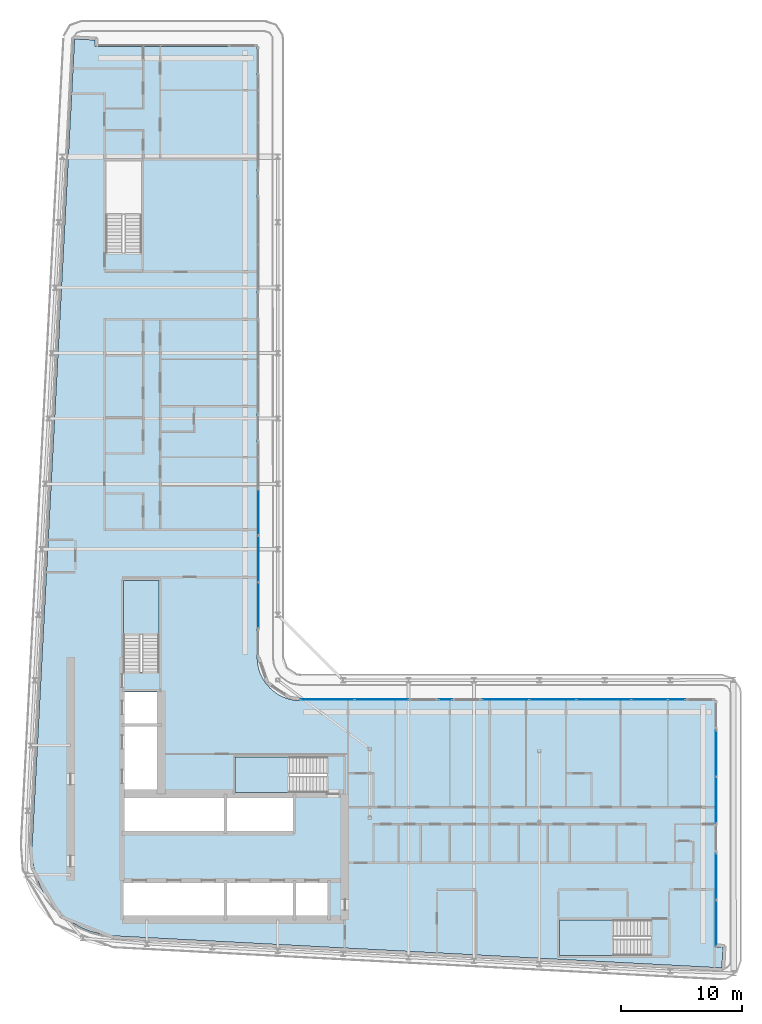
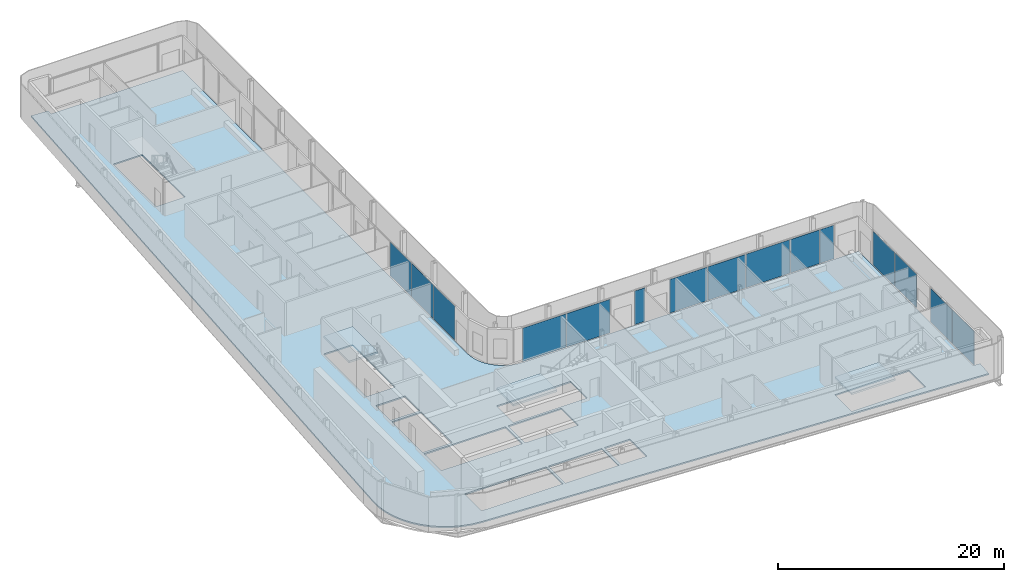
# One storey, part 8 of 23: 15 plates, 4 slabs, 11 elements without a shape of their own.
"""IFC4 building model written with IfcOpenShell, lengths in metres."""

import ifcopenshell
import ifcopenshell.guid

model = None  # the IFC model being written
_history = None  # IfcOwnerHistory: only IFC2X3 demands one
_inside = {}  # id of a spatial element -> (the spatial element, [elements in it])
_under = {}  # id of a project, library or spatial element -> (it, [spatial elements below it])
_declared = {}  # id of a project -> (the project, [libraries it declares])
_typed = {}  # id of a type object -> (the type object, [elements of that type])
_made_of = {}  # id of a material, layer set ... -> (it, [elements and type objects made of it])


def new_model(schema):
    """Start an empty IFC model of exactly this schema.

    Asked for "IFC4X3", IfcOpenShell would pick the latest addendum, in which some entities
    have other attributes; the version numbers below select the first issue.
    IFC2X3 requires an IfcOwnerHistory on every rooted entity: one is made here for all.
    """
    global model, _history
    if schema == "IFC4X3":
        model = ifcopenshell.file(schema_version=(4, 3, 0, 0))
    else:
        model = ifcopenshell.file(schema=schema)
    _inside.clear()
    _under.clear()
    _declared.clear()
    _typed.clear()
    _made_of.clear()
    _history = None
    if model.schema == "IFC2X3":
        org = make("IfcOrganization", Name="unknown")
        user = make(
            "IfcPersonAndOrganization",
            ThePerson=make("IfcPerson", FamilyName="unknown"),
            TheOrganization=org,
        )
        app = make(
            "IfcApplication",
            ApplicationDeveloper=org,
            Version="unknown",
            ApplicationFullName="unknown",
            ApplicationIdentifier="unknown",
        )
        _history = make(
            "IfcOwnerHistory",
            OwningUser=user,
            OwningApplication=app,
            ChangeAction="ADDED",
            CreationDate=0,
        )
    return model


def make(cls, **values):
    """One entity of the class cls with the attributes given. An attribute that is None is left unset."""
    return model.create_entity(
        cls, **{name: value for name, value in values.items() if value is not None}
    )


def rooted(cls, **values):
    """An entity with a GlobalId (a new one), such as an element, a storey or a relation."""
    return make(cls, GlobalId=ifcopenshell.guid.new(), OwnerHistory=_history, **values)


def si_unit(unit_type, name, prefix=None):
    """IfcSIUnit, for example si_unit("LENGTHUNIT", "METRE", prefix="MILLI")."""
    return make("IfcSIUnit", UnitType=unit_type, Prefix=prefix, Name=name)


def assignment(units):
    """IfcUnitAssignment: the units of a project."""
    return None if units is None else make("IfcUnitAssignment", Units=units)


def point(xyz):
    """IfcCartesianPoint."""
    return None if xyz is None else make("IfcCartesianPoint", Coordinates=xyz)


def direction(xyz):
    """IfcDirection."""
    return None if xyz is None else make("IfcDirection", DirectionRatios=xyz)


def frame(location, z_axis=None, x_axis=None):
    """IfcAxis2Placement3D, a coordinate frame: its origin and axes. An axis left out is left unset."""
    return make(
        "IfcAxis2Placement3D",
        Location=point(location),
        Axis=direction(z_axis),
        RefDirection=direction(x_axis),
    )


def frame_2d(location, x_axis=None):
    """IfcAxis2Placement2D, a coordinate frame in the plane: its origin and x axis."""
    return make(
        "IfcAxis2Placement2D", Location=point(location), RefDirection=direction(x_axis)
    )


def origin():
    """The frame at (0, 0, 0) with its axes left unset."""
    return frame((0.0, 0.0, 0.0))


def origin_2d():
    """The frame at (0, 0) in the plane with its x axis left unset."""
    return frame_2d((0.0, 0.0))


def place(relative_to, where):
    """IfcLocalPlacement: puts the frame where relative to a parent placement (None: the world)."""
    return make(
        "IfcLocalPlacement", PlacementRelTo=relative_to, RelativePlacement=where
    )


def context(
    kind, dimensions, precision=None, world=None, true_north=None, identifier=None
):
    """IfcGeometricRepresentationContext, for example the 3D "Model" context."""
    return make(
        "IfcGeometricRepresentationContext",
        ContextIdentifier=identifier,
        ContextType=kind,
        CoordinateSpaceDimension=dimensions,
        Precision=precision,
        WorldCoordinateSystem=world,
        TrueNorth=true_north,
    )


def subcontext(parent, identifier, kind, view, scale=None):
    """IfcGeometricRepresentationSubContext, for example "Body" below "Model"."""
    return make(
        "IfcGeometricRepresentationSubContext",
        ContextIdentifier=identifier,
        ContextType=kind,
        ParentContext=parent,
        TargetScale=scale,
        TargetView=view,
    )


def project(units=None, contexts=None):
    """IfcProject with its units and contexts."""
    return rooted(
        "IfcProject",
        Name="project",
        RepresentationContexts=contexts,
        UnitsInContext=assignment(units),
    )


def spatial(cls, under=None, at=None, **own):
    """A site, building, storey or space (cls), placed at a placement, below another one or the project."""
    s = rooted(cls, ObjectPlacement=at, **own)
    if under is not None:
        _under.setdefault(under.id(), (under, []))[1].append(s)
    return s


def polyline(points):
    """IfcPolyline through the points."""
    return make("IfcPolyline", Points=[point(p) for p in points])


def profile(cls, at=None, kind="AREA", **sizes):
    """A parametric profile (cls). Its sizes go by their IFC names, for example OverallWidth=200.0."""
    return make(cls, ProfileType=kind, Position=at, **sizes)


def rectangle(**sizes):
    """IfcRectangleProfileDef."""
    return profile("IfcRectangleProfileDef", **sizes)


def outline(outer, holes=None, kind="AREA"):
    """IfcArbitraryClosedProfileDef: a profile drawn as a closed curve; with holes, ...WithVoids."""
    if holes is None:
        return make("IfcArbitraryClosedProfileDef", ProfileType=kind, OuterCurve=outer)
    return make(
        "IfcArbitraryProfileDefWithVoids",
        ProfileType=kind,
        OuterCurve=outer,
        InnerCurves=holes,
    )


def extrude(swept, where, along, depth):
    """IfcExtrudedAreaSolid: the profile swept, set in the frame where, extruded along a direction by depth."""
    return make(
        "IfcExtrudedAreaSolid",
        SweptArea=swept,
        Position=where,
        ExtrudedDirection=direction(along),
        Depth=depth,
    )


def shape(context_of_items, identifier, shape_type, items):
    """IfcShapeRepresentation: the items that make up one representation, for example the "Body"."""
    return make(
        "IfcShapeRepresentation",
        ContextOfItems=context_of_items,
        RepresentationIdentifier=identifier,
        RepresentationType=shape_type,
        Items=items,
    )


def material(Name=None, Category=None):
    """IfcMaterial."""
    return make("IfcMaterial", Name=Name, Category=Category)


def layer(
    of_material, thickness, ventilated=None, Name=None, Category=None, Priority=None
):
    """IfcMaterialLayer: one layer of a wall or slab, of a material (None: an air gap)."""
    return make(
        "IfcMaterialLayer",
        Material=of_material,
        LayerThickness=thickness,
        IsVentilated=ventilated,
        Name=Name,
        Category=Category,
        Priority=Priority,
    )


def layer_set(layers, Name=None):
    """IfcMaterialLayerSet."""
    return make("IfcMaterialLayerSet", MaterialLayers=layers, LayerSetName=Name)


def made_of(thing, what):
    """Note that an element or type object is made of a material, layer set ...; save() writes the relation."""
    if what is not None:
        _made_of.setdefault(what.id(), (what, []))[1].append(thing)
    return thing


def type_object(cls, material=None, **own):
    """A type object (cls), such as IfcWallType, which elements share."""
    return made_of(rooted(cls, **own), material)


def element(
    cls,
    number,
    at=None,
    inside=None,
    cuts=None,
    type_object=None,
    material=None,
    context=None,
    identifier="Body",
    shape_type=None,
    held_by="IfcProductDefinitionShape",
    body=None,
    shapes=None,
    **own,
):
    """One element of the class cls, such as IfcWall. Its Tag is "e" and its number.

    at: its placement. inside: the storey or other place that contains it. cuts: it is an
    opening in that element (IfcRelVoidsElement). A single representation is given by context,
    identifier, shape_type and body (its items); several are given by shapes. held_by: the class
    of the entity that holds the representations. save() writes the other relations.
    """
    e = rooted(cls, Tag="e%d" % number, ObjectPlacement=at, **own)
    if body is not None:
        shapes = [shape(context, identifier, shape_type, body)]
    if shapes is not None:
        e.Representation = make(held_by, Representations=shapes)
    if inside is not None:
        _inside.setdefault(inside.id(), (inside, []))[1].append(e)
    if cuts is not None:
        rooted(
            "IfcRelVoidsElement", RelatingBuildingElement=cuts, RelatedOpeningElement=e
        )
    if type_object is not None:
        _typed.setdefault(type_object.id(), (type_object, []))[1].append(e)
    return made_of(e, material)


def aggregate(whole, parts):
    """IfcRelAggregates: a whole, such as a stair, and the parts it consists of."""
    return rooted("IfcRelAggregates", RelatingObject=whole, RelatedObjects=parts)


def save(model, path):
    """Write the relations noted so far, then the file.

    IfcRelAggregates (storeys below a building ...), IfcRelContainedInSpatialStructure (elements
    in a storey), IfcRelDefinesByType, IfcRelAssociatesMaterial and IfcRelDeclares: one each for
    every whole, place, type object, material and project.
    """
    for whole, parts in _under.values():
        aggregate(whole, parts)
    for where, things in _inside.values():
        rooted(
            "IfcRelContainedInSpatialStructure",
            RelatedElements=things,
            RelatingStructure=where,
        )
    for kind, things in _typed.values():
        rooted("IfcRelDefinesByType", RelatedObjects=things, RelatingType=kind)
    for what, things in _made_of.values():
        rooted("IfcRelAssociatesMaterial", RelatedObjects=things, RelatingMaterial=what)
    for by, libraries in _declared.values():
        rooted("IfcRelDeclares", RelatingContext=by, RelatedDefinitions=libraries)
    model.write(path)


model = new_model("IFC4")

# Units and contexts
model_context = context("Model", 3, precision=1e-05, world=origin(), true_north=direction((0.0, 1.0)))
body_context = subcontext(model_context, "Body", "Model", "MODEL_VIEW")
ifc_project = project(units=[si_unit("LENGTHUNIT", "METRE"), si_unit("AREAUNIT", "SQUARE_METRE"), si_unit("VOLUMEUNIT", "CUBIC_METRE"), si_unit("PLANEANGLEUNIT", "RADIAN"), si_unit("MASSUNIT", "GRAM", prefix="KILO")], contexts=[model_context])

# Site, building, storey
site_placement = place(None, origin())
site = spatial("IfcSite", under=ifc_project, at=site_placement, CompositionType="ELEMENT")
building_placement = place(site_placement, origin())
building = spatial("IfcBuilding", under=site, at=building_placement, Name="Kheshtan School and Residences Tower", CompositionType="ELEMENT")
storey_placement = place(building_placement, frame((0.0, 0.0, 259.10009765625)))
storey = spatial("IfcBuildingStorey", under=building, at=storey_placement, Name="L61", CompositionType="ELEMENT", Elevation=259.10009765625)

# Curtain wall, plate
ifc_material_1 = material(Name="Clear low-e glass in thermally broken aluminium frame", Category="aluminium")
ifc_layer_1 = layer(ifc_material_1, 0.199951171875)
ifc_layer_set_1 = layer_set([ifc_layer_1], Name="Curtain wall CW-L")
curtain_wall_type = type_object("IfcCurtainWallType", Name="Curtain wall CW-L", PredefinedType="NOTDEFINED", material=ifc_layer_set_1)
curtain_wall_1_placement = place(storey_placement, origin())
curtain_wall_1 = element("IfcCurtainWall", 1, at=curtain_wall_1_placement, inside=storey, type_object=curtain_wall_type, Name="Curtain wall CWL8c", PredefinedType="NOTDEFINED")
ifc_layer_2 = layer(ifc_material_1, 0.031982421875)
ifc_layer_set_2 = layer_set([ifc_layer_2], Name="CW-L glass panel")
plate_type = type_object("IfcPlateType", Name="CW-L glass panel", PredefinedType="CURTAIN_PANEL", material=ifc_layer_set_2)
plate_1_placement = place(storey_placement, frame((46.0, 59.46240234375, 0.0), z_axis=(0.0, 0.0, 1.0), x_axis=(0.0, -1.0, 0.0)))
plate_1 = element("IfcPlate", 2, at=plate_1_placement, type_object=plate_type, Name="CWL8c panel 3.1", PredefinedType="CURTAIN_PANEL", context=body_context, shape_type="SweptSolid", body=[
    extrude(rectangle(XDim=3.757080078125, YDim=0.031982421875, at=origin_2d()), origin(), (0.0, 0.0, 1.0), 3.6298828125),
])
aggregate(curtain_wall_1, [plate_1])

# Curtain wall, plates
curtain_wall_2_placement = place(storey_placement, origin())
curtain_wall_2 = element("IfcCurtainWall", 3, at=curtain_wall_2_placement, inside=storey, type_object=curtain_wall_type, Name="Curtain wall CWL8", PredefinedType="NOTDEFINED")
plate_2_placement = place(storey_placement, frame((46.0, 55.615478515625, 0.0), z_axis=(0.0, 0.0, 1.0), x_axis=(0.0, -1.0, 0.0)))
plate_2 = element("IfcPlate", 4, at=plate_2_placement, type_object=plate_type, Name="CWL8 panel 1.1", PredefinedType="CURTAIN_PANEL", context=body_context, shape_type="SweptSolid", body=[
    extrude(rectangle(XDim=3.81689453125, YDim=0.031982421875, at=origin_2d()), origin(), (0.0, 0.0, 1.0), 3.6298828125),
])
plate_3_placement = place(storey_placement, frame((46.0, 51.7685546875, 0.0), z_axis=(0.0, 0.0, 1.0), x_axis=(0.0, -1.0, 0.0)))
plate_3 = element("IfcPlate", 5, at=plate_3_placement, type_object=plate_type, Name="CWL8 panel 2.1", PredefinedType="CURTAIN_PANEL", context=body_context, shape_type="SweptSolid", body=[
    extrude(rectangle(XDim=3.757080078125, YDim=0.031982421875, at=origin_2d()), origin(), (0.0, 0.0, 1.0), 3.6298828125),
])
aggregate(curtain_wall_2, [plate_2, plate_3])

curtain_wall_3_placement = place(storey_placement, origin())
curtain_wall_3 = element("IfcCurtainWall", 6, at=curtain_wall_3_placement, inside=storey, type_object=curtain_wall_type, Name="Curtain wall CWL1231", PredefinedType="NOTDEFINED")
plate_4_placement = place(storey_placement, frame((51.700927734375, 44.0, 0.0), z_axis=(0.0, 0.0, 1.0), x_axis=(1.0, 0.0, 0.0)))
plate_4 = element("IfcPlate", 7, at=plate_4_placement, type_object=plate_type, Name="CWL1231 panel 1.1", PredefinedType="CURTAIN_PANEL", context=body_context, shape_type="SweptSolid", body=[
    extrude(rectangle(XDim=4.421630859375, YDim=0.031982421875, at=origin_2d()), origin(), (0.0, 0.0, 1.0), 3.6298828125),
])
plate_5_placement = place(storey_placement, frame((56.1826171875, 44.0, 0.0), z_axis=(0.0, 0.0, 1.0), x_axis=(1.0, 0.0, 0.0)))
plate_5 = element("IfcPlate", 8, at=plate_5_placement, type_object=plate_type, Name="CWL1231 panel 2.1", PredefinedType="CURTAIN_PANEL", context=body_context, shape_type="SweptSolid", body=[
    extrude(rectangle(XDim=4.421630859375, YDim=0.031982421875, at=origin_2d()), origin(), (0.0, 0.0, 1.0), 3.6298828125),
])
aggregate(curtain_wall_3, [plate_4, plate_5])

# Curtain wall, plate
curtain_wall_4_placement = place(storey_placement, origin())
curtain_wall_4 = element("IfcCurtainWall", 9, at=curtain_wall_4_placement, inside=storey, type_object=curtain_wall_type, Name="Curtain wall CWL12b", PredefinedType="NOTDEFINED")
plate_6_placement = place(storey_placement, frame((61.453369140625, 44.0, 0.0), z_axis=(0.0, 0.0, 1.0), x_axis=(1.0, 0.0, 0.0)))
plate_6 = element("IfcPlate", 10, at=plate_6_placement, type_object=plate_type, Name="CWL12b panel 1.1", PredefinedType="CURTAIN_PANEL", context=body_context, shape_type="SweptSolid", body=[
    extrude(rectangle(XDim=1.080078125, YDim=0.031982421875, at=origin_2d()), origin(), (0.0, 0.0, 1.0), 3.6298828125),
])
aggregate(curtain_wall_4, [plate_6])

# Curtain wall, plates
curtain_wall_5_placement = place(storey_placement, origin())
curtain_wall_5 = element("IfcCurtainWall", 11, at=curtain_wall_5_placement, inside=storey, type_object=curtain_wall_type, Name="Curtain wall CWL1229", PredefinedType="NOTDEFINED")
plate_7_placement = place(storey_placement, frame((66.424072265625, 44.0, 0.0), z_axis=(0.0, 0.0, 1.0), x_axis=(1.0, 0.0, 0.0)))
plate_7 = element("IfcPlate", 12, at=plate_7_placement, type_object=plate_type, Name="CWL1229 panel 1.1", PredefinedType="CURTAIN_PANEL", context=body_context, shape_type="SweptSolid", body=[
    extrude(rectangle(XDim=3.82177734375, YDim=0.031982421875, at=origin_2d()), origin(), (0.0, 0.0, 1.0), 3.6298828125),
])
plate_8_placement = place(storey_placement, frame((70.305908203125, 44.0, 0.0), z_axis=(0.0, 0.0, 1.0), x_axis=(1.0, 0.0, 0.0)))
plate_8 = element("IfcPlate", 13, at=plate_8_placement, type_object=plate_type, Name="CWL1229 panel 2.1", PredefinedType="CURTAIN_PANEL", context=body_context, shape_type="SweptSolid", body=[
    extrude(rectangle(XDim=3.82177734375, YDim=0.031982421875, at=origin_2d()), origin(), (0.0, 0.0, 1.0), 3.6298828125),
])
aggregate(curtain_wall_5, [plate_7, plate_8])

curtain_wall_6_placement = place(storey_placement, origin())
curtain_wall_6 = element("IfcCurtainWall", 14, at=curtain_wall_6_placement, inside=storey, type_object=curtain_wall_type, Name="Curtain wall CWL1228", PredefinedType="NOTDEFINED")
plate_9_placement = place(storey_placement, frame((74.517578125, 44.0, 0.0), z_axis=(0.0, 0.0, 1.0), x_axis=(1.0, 0.0, 0.0)))
plate_9 = element("IfcPlate", 15, at=plate_9_placement, type_object=plate_type, Name="CWL1228 panel 1.1", PredefinedType="CURTAIN_PANEL", context=body_context, shape_type="SweptSolid", body=[
    extrude(rectangle(XDim=4.481689453125, YDim=0.031982421875, at=origin_2d()), origin(), (0.0, 0.0, 1.0), 3.6298828125),
])
plate_10_placement = place(storey_placement, frame((78.294189453125, 44.0, 0.0), z_axis=(0.0, 0.0, 1.0), x_axis=(1.0, 0.0, 0.0)))
plate_10 = element("IfcPlate", 16, at=plate_10_placement, type_object=plate_type, Name="CWL1228 panel 2.1", PredefinedType="CURTAIN_PANEL", context=body_context, shape_type="SweptSolid", body=[
    extrude(rectangle(XDim=2.95166015625, YDim=0.031982421875, at=origin_2d()), origin(), (0.0, 0.0, 1.0), 3.6298828125),
])
plate_11_placement = place(storey_placement, frame((80.534912109375, 44.0, 0.0), z_axis=(0.0, 0.0, 1.0), x_axis=(1.0, 0.0, 0.0)))
plate_11 = element("IfcPlate", 17, at=plate_11_placement, type_object=plate_type, Name="CWL1228 panel 3.1", PredefinedType="CURTAIN_PANEL", context=body_context, shape_type="SweptSolid", body=[
    extrude(rectangle(XDim=1.409912109375, YDim=0.031982421875, at=origin_2d()), origin(), (0.0, 0.0, 1.0), 3.6298828125),
])
aggregate(curtain_wall_6, [plate_9, plate_10, plate_11])

curtain_wall_7_placement = place(storey_placement, origin())
curtain_wall_7 = element("IfcCurtainWall", 18, at=curtain_wall_7_placement, inside=storey, type_object=curtain_wall_type, Name="Curtain wall CWL13c", PredefinedType="NOTDEFINED")
plate_12_placement = place(storey_placement, frame((83.800048828125, 39.54345703125, 0.0), z_axis=(0.0, 0.0, 1.0), x_axis=(0.0, -1.0, 0.0)))
plate_12 = element("IfcPlate", 19, at=plate_12_placement, type_object=plate_type, Name="CWL13c panel 1.1", PredefinedType="CURTAIN_PANEL", context=body_context, shape_type="SweptSolid", body=[
    extrude(rectangle(XDim=3.793212890625, YDim=0.031982421875, at=origin_2d()), origin(), (0.0, 0.0, 1.0), 3.6298828125),
])
plate_13_placement = place(storey_placement, frame((83.800048828125, 35.690185546875, 0.0), z_axis=(0.0, 0.0, 1.0), x_axis=(0.0, -1.0, 0.0)))
plate_13 = element("IfcPlate", 20, at=plate_13_placement, type_object=plate_type, Name="CWL13c panel 2.1", PredefinedType="CURTAIN_PANEL", context=body_context, shape_type="SweptSolid", body=[
    extrude(rectangle(XDim=3.793212890625, YDim=0.031982421875, at=origin_2d()), origin(), (0.0, 0.0, 1.0), 3.6298828125),
])
aggregate(curtain_wall_7, [plate_12, plate_13])

curtain_wall_8_placement = place(storey_placement, origin())
curtain_wall_8 = element("IfcCurtainWall", 21, at=curtain_wall_8_placement, inside=storey, type_object=curtain_wall_type, Name="Curtain wall CWL13c", PredefinedType="NOTDEFINED")
plate_14_placement = place(storey_placement, frame((83.800048828125, 29.376953125, 0.0), z_axis=(0.0, 0.0, 1.0), x_axis=(0.0, -1.0, 0.0)))
plate_14 = element("IfcPlate", 22, at=plate_14_placement, type_object=plate_type, Name="CWL13c panel 1.1", PredefinedType="CURTAIN_PANEL", context=body_context, shape_type="SweptSolid", body=[
    extrude(rectangle(XDim=3.793212890625, YDim=0.031982421875, at=origin_2d()), origin(), (0.0, 0.0, 1.0), 3.6298828125),
])
plate_15_placement = place(storey_placement, frame((83.800048828125, 25.523681640625, 0.0), z_axis=(0.0, 0.0, 1.0), x_axis=(0.0, -1.0, 0.0)))
plate_15 = element("IfcPlate", 23, at=plate_15_placement, type_object=plate_type, Name="CWL13c panel 2.1", PredefinedType="CURTAIN_PANEL", context=body_context, shape_type="SweptSolid", body=[
    extrude(rectangle(XDim=3.793212890625, YDim=0.031982421875, at=origin_2d()), origin(), (0.0, 0.0, 1.0), 3.6298828125),
])
aggregate(curtain_wall_8, [plate_14, plate_15])

# Slab
ifc_material_2 = material(Name="Concrete C40/50", Category="concrete")
ifc_layer_3 = layer(ifc_material_2, 0.14990234375)
ifc_layer_set_3 = layer_set([ifc_layer_3], Name="Floor slab 150 Concrete C40/50")
slab_type_1 = type_object("IfcSlabType", Name="Floor slab 150 Concrete C40/50", PredefinedType="FLOOR", material=ifc_layer_set_3)
slab_1_placement = place(storey_placement, frame((0.0, 0.0, -0.150146484375)))
element("IfcSlab", 24, at=slab_1_placement, inside=storey, type_object=slab_type_1, Name="Floor slab L61", PredefinedType="FLOOR", context=body_context, shape_type="SweptSolid", body=[
    extrude(outline(polyline([(28.0849609375, 28.345947265625), (27.718017578125, 29.200927734375), (27.466064453125, 30.093017578125), (27.466064453125, 30.093994140625), (27.3330078125, 31.013916015625), (27.320068359375, 31.965087890625), (27.320068359375, 31.970947265625), (30.822021484375, 98.5009765625), (30.822998046875, 98.508056640625), (30.825927734375, 98.531005859375), (30.825927734375, 98.531982421875), (30.826904296875, 98.531982421875), (31.422119140625, 98.5), (31.423095703125, 98.5), (31.423095703125, 98.4990234375), (31.423095703125, 98.4951171875), (31.423095703125, 98.493896484375), (31.424072265625, 98.493896484375), (31.424072265625, 98.492919921875), (31.425048828125, 98.492919921875), (31.426025390625, 98.492919921875), (31.426025390625, 98.493896484375), (31.427978515625, 98.49609375), (31.428955078125, 98.4970703125), (31.429931640625, 98.498046875), (31.430908203125, 98.498046875), (31.430908203125, 98.4990234375), (31.431884765625, 98.4990234375), (31.431884765625, 98.5), (31.43505859375, 98.5009765625), (31.43603515625, 98.501953125), (31.43896484375, 98.501953125), (31.43994140625, 98.501953125), (31.43994140625, 98.5029296875), (31.44091796875, 98.5029296875), (31.446044921875, 98.5029296875), (32.5009765625, 98.447021484375), (32.50390625, 98.447021484375), (32.5048828125, 98.447021484375), (32.5048828125, 98.446044921875), (32.506103515625, 98.446044921875), (32.510009765625, 98.446044921875), (32.510009765625, 98.445068359375), (32.510986328125, 98.445068359375), (32.510986328125, 98.444091796875), (32.511962890625, 98.444091796875), (32.511962890625, 98.443115234375), (32.512939453125, 98.443115234375), (32.513916015625, 98.443115234375), (32.513916015625, 98.44189453125), (32.514892578125, 98.44189453125), (32.51611328125, 98.44189453125), (32.51904296875, 98.43896484375), (32.51904296875, 98.43798828125), (32.51904296875, 98.43701171875), (32.52001953125, 98.43701171875), (32.52001953125, 98.43603515625), (32.52099609375, 98.43603515625), (32.52099609375, 98.43408203125), (32.52099609375, 98.43310546875), (32.52197265625, 98.43310546875), (32.52197265625, 98.431884765625), (32.52294921875, 98.431884765625), (32.52294921875, 98.430908203125), (32.52294921875, 98.428955078125), (32.52294921875, 98.427978515625), (32.52392578125, 98.427978515625), (32.52392578125, 98.427001953125), (32.52392578125, 98.422119140625), (32.4970703125, 97.9208984375), (32.4970703125, 97.91796875), (32.4970703125, 97.9169921875), (32.49609375, 97.9169921875), (32.49609375, 97.916015625), (32.49609375, 97.912109375), (32.4951171875, 97.910888671875), (32.4951171875, 97.909912109375), (32.493896484375, 97.909912109375), (32.493896484375, 97.908935546875), (32.492919921875, 97.908935546875), (32.492919921875, 97.907958984375), (32.489013671875, 97.904052734375), (32.488037109375, 97.904052734375), (32.488037109375, 97.903076171875), (32.488037109375, 97.902099609375), (32.488037109375, 97.90087890625), (32.489013671875, 97.90087890625), (32.489013671875, 97.89990234375), (32.489990234375, 97.89990234375), (45.85498046875, 97.89990234375), (45.864990234375, 97.89794921875), (45.865966796875, 97.89794921875), (45.868896484375, 97.89599609375), (45.8740234375, 97.89404296875), (45.8779296875, 97.89208984375), (45.881103515625, 97.889892578125), (45.881103515625, 97.888916015625), (45.882080078125, 97.888916015625), (45.882080078125, 97.887939453125), (45.883056640625, 97.887939453125), (45.884033203125, 97.885009765625), (45.885009765625, 97.885009765625), (45.885009765625, 97.884033203125), (45.887939453125, 97.883056640625), (45.887939453125, 97.882080078125), (45.888916015625, 97.882080078125), (45.888916015625, 97.881103515625), (45.889892578125, 97.881103515625), (45.89208984375, 97.8779296875), (45.89404296875, 97.8740234375), (45.89599609375, 97.868896484375), (45.89794921875, 97.865966796875), (45.89794921875, 97.864990234375), (45.89990234375, 97.85498046875), (45.89990234375, 47.429931640625), (45.927001953125, 47.030029296875), (46.01806640625, 46.570068359375), (46.01806640625, 46.569091796875), (46.169921875, 46.1201171875), (46.37890625, 45.697021484375), (46.638916015625, 45.30810546875), (46.949951171875, 44.950927734375), (46.950927734375, 44.949951171875), (47.30810546875, 44.638916015625), (47.697021484375, 44.37890625), (48.1201171875, 44.169921875), (48.569091796875, 44.01806640625), (48.570068359375, 44.01806640625), (49.030029296875, 43.927001953125), (49.429931640625, 43.89990234375), (83.655029296875, 43.89990234375), (83.659912109375, 43.89892578125), (83.6650390625, 43.89794921875), (83.666015625, 43.89794921875), (83.6689453125, 43.89599609375), (83.674072265625, 43.89404296875), (83.677978515625, 43.89208984375), (83.680908203125, 43.889892578125), (83.680908203125, 43.888916015625), (83.681884765625, 43.888916015625), (83.681884765625, 43.887939453125), (83.68310546875, 43.887939453125), (83.68408203125, 43.885009765625), (83.68505859375, 43.885009765625), (83.68505859375, 43.884033203125), (83.68798828125, 43.883056640625), (83.68798828125, 43.882080078125), (83.68896484375, 43.882080078125), (83.68896484375, 43.881103515625), (83.68994140625, 43.881103515625), (83.69189453125, 43.8779296875), (83.694091796875, 43.8740234375), (83.696044921875, 43.868896484375), (83.697998046875, 43.865966796875), (83.697998046875, 43.864990234375), (83.699951171875, 43.85498046875), (83.699951171875, 23.56201171875), (83.699951171875, 23.56103515625), (83.700927734375, 23.56103515625), (83.700927734375, 23.56005859375), (83.701904296875, 23.56005859375), (83.702880859375, 23.56005859375), (83.702880859375, 23.56103515625), (83.705078125, 23.56298828125), (83.7060546875, 23.56396484375), (83.70703125, 23.56494140625), (83.7080078125, 23.56494140625), (83.7080078125, 23.56591796875), (83.708984375, 23.56591796875), (83.708984375, 23.56689453125), (83.7099609375, 23.56689453125), (83.712890625, 23.569091796875), (83.716064453125, 23.569091796875), (83.717041015625, 23.569091796875), (83.717041015625, 23.570068359375), (83.718017578125, 23.570068359375), (83.722900390625, 23.570068359375), (84.337890625, 23.537109375), (84.341064453125, 23.537109375), (84.342041015625, 23.537109375), (84.342041015625, 23.535888671875), (84.343017578125, 23.535888671875), (84.346923828125, 23.535888671875), (84.346923828125, 23.534912109375), (84.347900390625, 23.534912109375), (84.347900390625, 23.533935546875), (84.34912109375, 23.533935546875), (84.34912109375, 23.532958984375), (84.35009765625, 23.532958984375), (84.35107421875, 23.532958984375), (84.35107421875, 23.531982421875), (84.35205078125, 23.531982421875), (84.35302734375, 23.531982421875), (84.35302734375, 23.531005859375), (84.35498046875, 23.529052734375), (84.35595703125, 23.529052734375), (84.35595703125, 23.528076171875), (84.35595703125, 23.527099609375), (84.35693359375, 23.527099609375), (84.35693359375, 23.52587890625), (84.35791015625, 23.52587890625), (84.35791015625, 23.52490234375), (84.35791015625, 23.52392578125), (84.35791015625, 23.52294921875), (84.35888671875, 23.52294921875), (84.35888671875, 23.52197265625), (84.360107421875, 23.52197265625), (84.360107421875, 23.52099609375), (84.360107421875, 23.51904296875), (84.360107421875, 23.51806640625), (84.361083984375, 23.51806640625), (84.361083984375, 23.51708984375), (84.361083984375, 23.511962890625), (84.304931640625, 22.455078125), (84.304931640625, 22.451904296875), (84.304931640625, 22.450927734375), (84.303955078125, 22.450927734375), (84.303955078125, 22.449951171875), (84.303955078125, 22.446044921875), (84.302978515625, 22.445068359375), (84.302978515625, 22.444091796875), (84.302001953125, 22.444091796875), (84.302001953125, 22.443115234375), (84.301025390625, 22.443115234375), (84.301025390625, 22.44189453125), (84.300048828125, 22.44091796875), (84.298095703125, 22.43896484375), (84.297119140625, 22.43798828125), (84.2958984375, 22.43798828125), (84.2958984375, 22.43701171875), (84.2958984375, 22.43603515625), (84.2958984375, 22.43505859375), (84.297119140625, 22.43505859375), (84.297119140625, 22.43408203125), (84.298095703125, 22.43408203125), (84.299072265625, 22.43408203125), (84.300048828125, 22.43408203125), (84.300048828125, 22.43310546875), (84.26806640625, 21.837890625), (84.26806640625, 21.8369140625), (84.26708984375, 21.8369140625), (84.242919921875, 21.8359375), (84.238037109375, 21.8359375), (34.056884765625, 24.47802734375), (33.114990234375, 24.590087890625), (32.215087890625, 24.819091796875), (32.214111328125, 24.819091796875), (31.35205078125, 25.1630859375), (30.541015625, 25.616943359375), (29.799072265625, 26.1708984375), (29.799072265625, 26.172119140625), (29.798095703125, 26.172119140625), (29.134033203125, 26.820068359375), (29.134033203125, 26.821044921875), (29.133056640625, 26.821044921875), (28.55908203125, 27.550048828125), (28.0849609375, 28.345947265625)]), holes=[polyline([(83.699951171875, 22.44091796875), (83.699951171875, 22.43994140625), (83.699951171875, 22.43603515625), (83.699951171875, 22.43505859375), (83.700927734375, 22.43505859375), (83.700927734375, 22.43408203125), (83.701904296875, 22.43408203125), (83.7060546875, 22.43408203125), (83.70703125, 22.43408203125), (83.70703125, 22.43505859375), (83.7080078125, 22.43505859375), (83.7080078125, 22.43603515625), (83.7080078125, 22.43701171875), (83.70703125, 22.43701171875), (83.7060546875, 22.43798828125), (83.7041015625, 22.43994140625), (83.702880859375, 22.44091796875), (83.702880859375, 22.44189453125), (83.701904296875, 22.44189453125), (83.700927734375, 22.44189453125), (83.700927734375, 22.44091796875), (83.699951171875, 22.44091796875)]), polyline([(31.423095703125, 97.906982421875), (31.423095703125, 97.906005859375), (31.423095703125, 97.902099609375), (31.423095703125, 97.90087890625), (31.424072265625, 97.90087890625), (31.424072265625, 97.89990234375), (31.425048828125, 97.89990234375), (31.428955078125, 97.89990234375), (31.429931640625, 97.89990234375), (31.429931640625, 97.90087890625), (31.430908203125, 97.90087890625), (31.430908203125, 97.902099609375), (31.430908203125, 97.903076171875), (31.429931640625, 97.903076171875), (31.428955078125, 97.904052734375), (31.427978515625, 97.905029296875), (31.427001953125, 97.906005859375), (31.426025390625, 97.906982421875), (31.426025390625, 97.907958984375), (31.425048828125, 97.907958984375), (31.424072265625, 97.907958984375), (31.424072265625, 97.906982421875), (31.423095703125, 97.906982421875)]), polyline([(43.175048828125, 28.925048828125), (34.875, 28.925048828125), (34.875, 25.925048828125), (43.175048828125, 25.925048828125), (43.175048828125, 28.925048828125)]), polyline([(43.175048828125, 36.074951171875), (34.875, 36.074951171875), (34.875, 33.074951171875), (43.175048828125, 33.074951171875), (43.175048828125, 36.074951171875)]), polyline([(34.875, 41.77490234375), (34.875, 36.324951171875), (37.875, 36.324951171875), (37.875, 41.77490234375), (34.875, 41.77490234375)]), polyline([(37.875, 44.625), (34.875, 44.625), (34.875, 42.02490234375), (37.875, 42.02490234375), (37.875, 44.625)]), polyline([(36.25, 46.25), (37.800048828125, 46.25), (37.800048828125, 53.81005859375), (34.85009765625, 53.81005859375), (34.85009765625, 46.260009765625), (36.25, 46.260009765625), (36.25, 46.25)]), polyline([(33.39990234375, 88.4599609375), (33.39990234375, 80.909912109375), (34.800048828125, 80.909912109375), (34.800048828125, 80.89990234375), (36.35009765625, 80.89990234375), (36.35009765625, 88.4599609375), (33.39990234375, 88.4599609375)]), polyline([(70.85009765625, 25.800048828125), (70.85009765625, 22.85009765625), (78.39990234375, 22.85009765625), (78.39990234375, 24.25), (78.409912109375, 24.25), (78.409912109375, 25.800048828125), (70.85009765625, 25.800048828125)]), polyline([(43.425048828125, 28.925048828125), (43.425048828125, 25.925048828125), (48.875, 25.925048828125), (48.875, 28.925048828125), (43.425048828125, 28.925048828125)]), polyline([(49.125, 28.925048828125), (49.125, 25.925048828125), (51.72509765625, 25.925048828125), (51.72509765625, 28.925048828125), (49.125, 28.925048828125)]), polyline([(43.425048828125, 36.074951171875), (43.425048828125, 33.074951171875), (48.875, 33.074951171875), (48.875, 36.074951171875), (43.425048828125, 36.074951171875)]), polyline([(51.64990234375, 37.699951171875), (51.64990234375, 39.25), (44.090087890625, 39.25), (44.090087890625, 36.300048828125), (51.639892578125, 36.300048828125), (51.639892578125, 37.699951171875), (51.64990234375, 37.699951171875)])]), origin(), (0.0, 0.0, 1.0), 0.150146484375),
])

# Stair, slab
stair_type = type_object("IfcStairType", Name="Exit stair, half-turn", PredefinedType="HALF_TURN_STAIR", material=ifc_material_2)
stair_1_placement = place(storey_placement, origin())
stair_1 = element("IfcStair", 25, at=stair_1_placement, inside=storey, type_object=stair_type, Name="L61 Protected Exit Stair ST1", PredefinedType="HALF_TURN_STAIR")
ifc_layer_4 = layer(ifc_material_2, 0.199951171875)
ifc_layer_set_4 = layer_set([ifc_layer_4], Name="Stair landing 200 Concrete C40/50")
slab_type_2 = type_object("IfcSlabType", Name="Stair landing 200 Concrete C40/50", PredefinedType="LANDING", material=ifc_layer_set_4)
slab_2_placement = place(storey_placement, frame((0.0, 0.0, 1.75)))
slab_2 = element("IfcSlab", 26, at=slab_2_placement, type_object=slab_type_2, Name="ST1 landing 1", PredefinedType="LANDING", context=body_context, shape_type="SweptSolid", body=[
    extrude(outline(polyline([(48.570068359375, 39.25), (44.090087890625, 39.25), (44.090087890625, 36.300048828125), (48.570068359375, 36.300048828125), (48.570068359375, 39.25)])), origin(), (0.0, 0.0, 1.0), 0.199951171875),
])
aggregate(stair_1, [slab_2])

stair_2_placement = place(storey_placement, origin())
stair_2 = element("IfcStair", 27, at=stair_2_placement, inside=storey, type_object=stair_type, Name="L61 Protected Exit Stair ST2", PredefinedType="HALF_TURN_STAIR")
slab_3_placement = place(storey_placement, frame((0.0, 0.0, 1.75)))
slab_3 = element("IfcSlab", 28, at=slab_3_placement, type_object=slab_type_2, Name="ST2 landing 1", PredefinedType="LANDING", context=body_context, shape_type="SweptSolid", body=[
    extrude(outline(polyline([(37.800048828125, 49.330078125), (37.800048828125, 53.81005859375), (34.85009765625, 53.81005859375), (34.85009765625, 49.330078125), (37.800048828125, 49.330078125)])), origin(), (0.0, 0.0, 1.0), 0.199951171875),
])
aggregate(stair_2, [slab_3])

stair_3_placement = place(storey_placement, origin())
stair_3 = element("IfcStair", 29, at=stair_3_placement, inside=storey, type_object=stair_type, Name="L61 Protected Exit Stair ST5", PredefinedType="HALF_TURN_STAIR")
slab_4_placement = place(storey_placement, frame((0.0, 0.0, 1.75)))
slab_4 = element("IfcSlab", 30, at=slab_4_placement, type_object=slab_type_2, Name="ST5 landing 1", PredefinedType="LANDING", context=body_context, shape_type="SweptSolid", body=[
    extrude(outline(polyline([(75.330078125, 25.800048828125), (70.85009765625, 25.800048828125), (70.85009765625, 22.85009765625), (75.330078125, 22.85009765625), (75.330078125, 25.800048828125)])), origin(), (0.0, 0.0, 1.0), 0.199951171875),
])
aggregate(stair_3, [slab_4])

save(model, "model.ifc")
